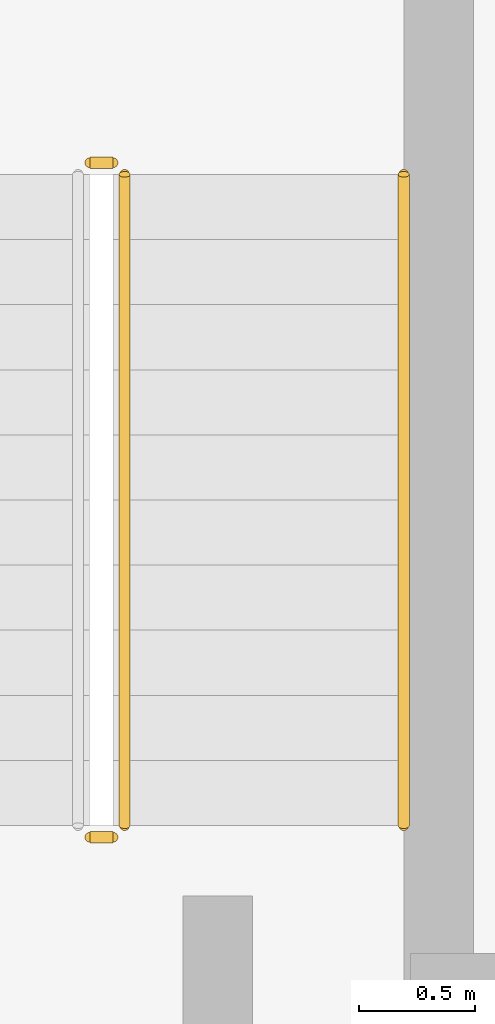
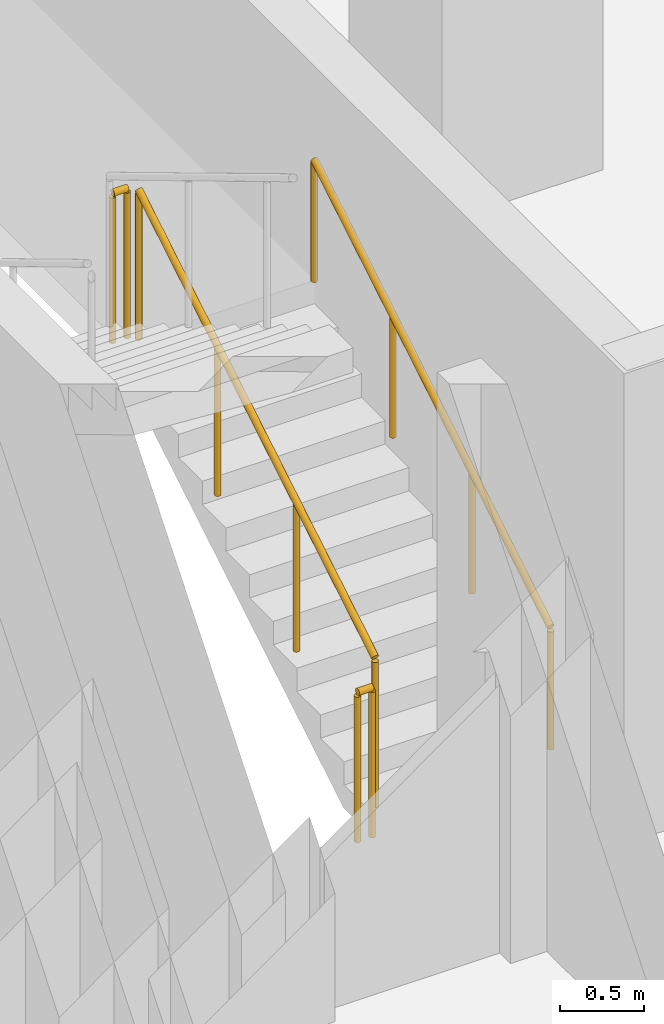
# One storey, part 25 of 25: 4 railings.
"""IFC4 building model written with IfcOpenShell, lengths in metres."""

from ifc_helpers import new_model, si_unit, direction, frame, origin, origin_2d, place, context, subcontext, project, spatial, circle, extrude, material, type_object, element, save


model = new_model("IFC4")

# Units and contexts
model_context = context("Model", 3, precision=1e-05, world=origin(), true_north=direction((0.0, 1.0)))
body_context = subcontext(model_context, "Body", "Model", "MODEL_VIEW")
ifc_project = project(units=[si_unit("LENGTHUNIT", "METRE"), si_unit("AREAUNIT", "SQUARE_METRE"), si_unit("VOLUMEUNIT", "CUBIC_METRE"), si_unit("PLANEANGLEUNIT", "RADIAN"), si_unit("MASSUNIT", "GRAM", prefix="KILO")], contexts=[model_context])

# Site, building, storey
site_placement = place(None, origin())
site = spatial("IfcSite", under=ifc_project, at=site_placement, CompositionType="ELEMENT")
building_placement = place(site_placement, origin())
building = spatial("IfcBuilding", under=site, at=building_placement, Name="Ogive Portal Towers", CompositionType="ELEMENT")
storey_placement = place(building_placement, frame((0.0, 0.0, 182.89990234375)))
storey = spatial("IfcBuildingStorey", under=building, at=storey_placement, Name="L45", CompositionType="ELEMENT", Elevation=182.89990234375)

# Railings
ifc_material_1 = material(Name="Stainless steel balustrade", Category="steel")
railing_type_1 = type_object("IfcRailingType", Name="INT-GUARD", PredefinedType="GUARDRAIL", material=ifc_material_1)
railing_1_placement = place(storey_placement, frame((42.949951171875, 67.199951171875, 0.168212890625)))
element("IfcRailing", 1, at=railing_1_placement, inside=storey, type_object=railing_type_1, Name="L45 ST-A3 stair guard 1", PredefinedType="GUARDRAIL", context=body_context, shape_type="SweptSolid", body=[
    extrude(circle(Radius=0.02392578125, at=origin_2d()), frame((0.0, 0.0, 1.076171875), z_axis=(0.0, 0.857242210791, 0.514913383045), x_axis=(-1.0, 0.0, 0.0)), (0.0, 0.0, 1.0), 3.266357421875),
    extrude(circle(Radius=0.02099609375, at=origin_2d()), origin(), (0.0, 0.0, 1.0), 1.052001953125),
    extrude(circle(Radius=0.02099609375, at=origin_2d()), frame((0.0, 0.933349609375, 0.560546875)), (0.0, 0.0, 1.0), 1.052001953125),
    extrude(circle(Radius=0.02099609375, at=origin_2d()), frame((0.0, 1.86669921875, 1.121337890625)), (0.0, 0.0, 1.0), 1.052001953125),
    extrude(circle(Radius=0.02099609375, at=origin_2d()), frame((0.0, 2.800048828125, 1.681884765625)), (0.0, 0.0, 1.0), 1.052001953125),
])
for number, where, name in (
    (2, (42.89990234375, 70.050048828125, 1.85009765625), "L45 ST-A3 stair guard 2"),
    (3, (42.89990234375, 67.14990234375, 0.0), "L45 ST-A3 stair guard 4"),
):
    element("IfcRailing", number, at=place(storey_placement, frame(where)), inside=storey, type_object=railing_type_1, Name=name, PredefinedType="GUARDRAIL", context=body_context, shape_type="SweptSolid", body=[
        extrude(circle(Radius=0.02392578125, at=origin_2d()), frame((0.0, 0.0, 1.076171875), z_axis=(-1.0, 0.0, 0.0), x_axis=(0.0, -1.0, 0.0)), (0.0, 0.0, 1.0), 0.099853515625),
        extrude(circle(Radius=0.02099609375, at=origin_2d()), origin(), (0.0, 0.0, 1.0), 1.052001953125),
        extrude(circle(Radius=0.02099609375, at=origin_2d()), frame((-0.099853515625, 0.0, 0.0)), (0.0, 0.0, 1.0), 1.052001953125),
    ])
ifc_material_2 = material(Name="Stainless steel handrail", Category="steel")
railing_type_2 = type_object("IfcRailingType", Name="INT-HANDRAIL", PredefinedType="HANDRAIL", material=ifc_material_2)
railing_2_placement = place(storey_placement, frame((44.14990234375, 67.199951171875, 0.168212890625)))
element("IfcRailing", 4, at=railing_2_placement, inside=storey, type_object=railing_type_2, Name="L45 ST-A3 stair handrail 1", PredefinedType="HANDRAIL", context=body_context, shape_type="SweptSolid", body=[
    extrude(circle(Radius=0.02392578125, at=origin_2d()), frame((0.0, 0.0, 0.8759765625), z_axis=(0.0, 0.857242210791, 0.514913383045), x_axis=(-1.0, 0.0, 0.0)), (0.0, 0.0, 1.0), 3.266357421875),
    extrude(circle(Radius=0.02099609375, at=origin_2d()), origin(), (0.0, 0.0, 1.0), 0.851806640625),
    extrude(circle(Radius=0.02099609375, at=origin_2d()), frame((0.0, 0.933349609375, 0.560546875)), (0.0, 0.0, 1.0), 0.851806640625),
    extrude(circle(Radius=0.02099609375, at=origin_2d()), frame((0.0, 1.86669921875, 1.121337890625)), (0.0, 0.0, 1.0), 0.851806640625),
    extrude(circle(Radius=0.02099609375, at=origin_2d()), frame((0.0, 2.800048828125, 1.681884765625)), (0.0, 0.0, 1.0), 0.851806640625),
])

save(model, "model.ifc")
